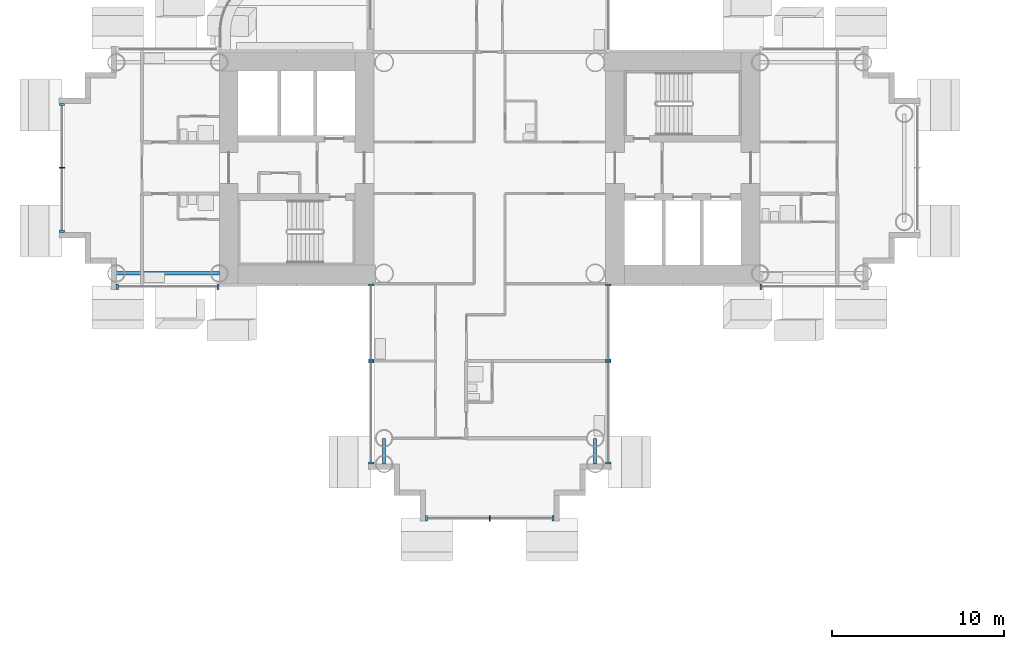
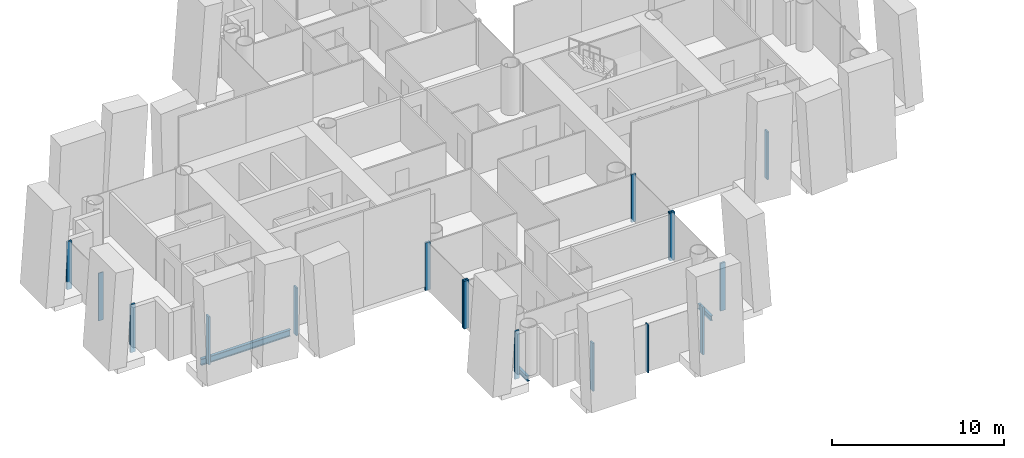
# One storey, part 3 of 25: 17 members, 3 beams, 8 elements without a shape of their own.
"""IFC4 building model written with IfcOpenShell, lengths in metres."""

from ifc_helpers import new_model, si_unit, direction, frame, origin, origin_2d, place, context, subcontext, project, spatial, rectangle, i_section, extrude, material, layer, layer_set, material_profile, profile_set, type_object, element, aggregate, save


model = new_model("IFC4")

# Units and contexts
model_context = context("Model", 3, precision=1e-05, world=origin(), true_north=direction((0.0, 1.0)))
body_context = subcontext(model_context, "Body", "Model", "MODEL_VIEW")
ifc_project = project(units=[si_unit("LENGTHUNIT", "METRE"), si_unit("AREAUNIT", "SQUARE_METRE"), si_unit("VOLUMEUNIT", "CUBIC_METRE"), si_unit("PLANEANGLEUNIT", "RADIAN"), si_unit("MASSUNIT", "GRAM", prefix="KILO")], contexts=[model_context])

# Site, building, storey
site_placement = place(None, origin())
site = spatial("IfcSite", under=ifc_project, at=site_placement, CompositionType="ELEMENT")
building_placement = place(site_placement, origin())
building = spatial("IfcBuilding", under=site, at=building_placement, Name="Ipe Terrace Towers", CompositionType="ELEMENT")
storey_placement = place(building_placement, frame((0.0, 0.0, 31.300048828125)))
storey = spatial("IfcBuildingStorey", under=building, at=storey_placement, Name="L07", CompositionType="ELEMENT", Elevation=31.300048828125)

# Beams
ifc_material_1 = material(Name="Steel S355", Category="steel")
ifc_material_profile_1 = material_profile(ifc_material_1, i_section(OverallWidth=0.175048828125, OverallDepth=0.35009765625, WebThickness=0.007080078125, FlangeThickness=0.010986328125, at=origin_2d()), Name="H-350x175x7x11")
ifc_profile_set_1 = profile_set([ifc_material_profile_1], Name="Steel S355")
beam_type_1 = type_object("IfcBeamType", Name="H04 EDGE BEAM H-350x175x7x11", PredefinedType="BEAM", material=ifc_profile_set_1)
for number, where, z_axis, x_axis, name in (
    (1, (-42.14990234375, -15.75, -0.574951171875), (0.0, -1.0, 0.0), (1.0, 0.0, 0.0), "Edge beam T1-EB-D03-D05"),
    (2, (-29.85009765625, -15.75, -0.574951171875), (0.0, -1.0, 0.0), (1.0, 0.0, 0.0), "Edge beam T1-EB-D04-D06"),
):
    element("IfcBeam", number, at=place(storey_placement, frame(where, z_axis=z_axis, x_axis=x_axis)), inside=storey, type_object=beam_type_1, Name=name, PredefinedType="BEAM", context=body_context, shape_type="SweptSolid", body=[
        extrude(i_section(OverallWidth=0.175048828125, OverallDepth=0.35009765625, WebThickness=0.007080078125, FlangeThickness=0.010986328125, at=origin_2d()), origin(), (0.0, 0.0, 1.0), 1.5),
    ])
ifc_material_2 = material(Name="Steel S355", Category="steel")
ifc_material_profile_2 = material_profile(ifc_material_2, i_section(OverallWidth=0.199951171875, OverallDepth=0.449951171875, WebThickness=0.009033203125, FlangeThickness=0.013916015625, at=origin_2d()), Name="H-450x200x9x14")
ifc_profile_set_2 = profile_set([ifc_material_profile_2], Name="Steel S355")
beam_type_2 = type_object("IfcBeamType", Name="H08 EDGE BEAM H-450x200x9x14", PredefinedType="BEAM", material=ifc_profile_set_2)
beam_placement = place(storey_placement, frame((-51.75, -6.14990234375, -0.625), z_axis=(-1.0, 0.0, 0.0), x_axis=(0.0, -1.0, 0.0)))
element("IfcBeam", 3, at=beam_placement, inside=storey, type_object=beam_type_2, Name="Edge beam T1-EB-C01-C03", PredefinedType="BEAM", context=body_context, shape_type="SweptSolid", body=[
    extrude(i_section(OverallWidth=0.199951171875, OverallDepth=0.449951171875, WebThickness=0.009033203125, FlangeThickness=0.013916015625, at=origin_2d()), origin(), (0.0, 0.0, 1.0), 6.0),
])

# Curtain wall, members
ifc_material_3 = material(Name="Aluminium alloy 6063-T6", Category="aluminium")
ifc_layer = layer(ifc_material_3, 0.320068359375)
ifc_layer_set = layer_set([ifc_layer], Name="TOWER UNITISED CURTAIN WALL")
curtain_wall_type = type_object("IfcCurtainWallType", Name="TOWER UNITISED CURTAIN WALL", PredefinedType="NOTDEFINED", material=ifc_layer_set)
curtain_wall_1_placement = place(storey_placement, origin())
curtain_wall_1 = element("IfcCurtainWall", 4, at=curtain_wall_1_placement, inside=storey, type_object=curtain_wall_type, Name="T1-CW-L07-04a curtain wall", PredefinedType="NOTDEFINED")
ifc_material_4 = material(Name="Aluminium alloy 6063-T6", Category="aluminium")
ifc_material_profile_3 = material_profile(ifc_material_4, rectangle(XDim=0.320068359375, YDim=0.1201171875, at=origin_2d()), Name="TOWER UNITISED CORNER MULLION 320 x 120")
ifc_profile_set_3 = profile_set([ifc_material_profile_3], Name="Aluminium alloy 6063-T6")
member_type_1 = type_object("IfcMemberType", Name="TOWER UNITISED CORNER MULLION 320 x 120", PredefinedType="MULLION", material=ifc_profile_set_3)
member_1_placement = place(storey_placement, frame((-57.68994140625, -6.909912109375, -0.300048828125), z_axis=(0.0, 0.0, 1.0), x_axis=(0.0, -1.0, 0.0)))
member_1 = element("IfcMember", 5, at=member_1_placement, type_object=member_type_1, Name="T1-CW-L07-04a mullion 1", PredefinedType="MULLION", context=body_context, shape_type="SweptSolid", body=[
    extrude(rectangle(XDim=0.320068359375, YDim=0.1201171875, at=origin_2d()), origin(), (0.0, 0.0, 1.0), 3.39990234375),
])
member_2_placement = place(storey_placement, frame((-51.81103515625, -6.909912109375, -0.300048828125), z_axis=(0.0, 0.0, 1.0), x_axis=(0.0, -1.0, 0.0)))
member_2 = element("IfcMember", 6, at=member_2_placement, type_object=member_type_1, Name="T1-CW-L07-04a mullion 2", PredefinedType="MULLION", context=body_context, shape_type="SweptSolid", body=[
    extrude(rectangle(XDim=0.320068359375, YDim=0.1201171875, at=origin_2d()), origin(), (0.0, 0.0, 1.0), 3.39990234375),
])
aggregate(curtain_wall_1, [member_1, member_2])

curtain_wall_2_placement = place(storey_placement, origin())
curtain_wall_2 = element("IfcCurtainWall", 7, at=curtain_wall_2_placement, inside=storey, type_object=curtain_wall_type, Name="T1-CW-L07-06a curtain wall", PredefinedType="NOTDEFINED")
member_3_placement = place(storey_placement, frame((-42.909912109375, -6.81005859375, -0.300048828125), z_axis=(0.0, 0.0, 1.0), x_axis=(-1.0, 0.0, 0.0)))
member_3 = element("IfcMember", 8, at=member_3_placement, type_object=member_type_1, Name="T1-CW-L07-06a mullion 1", PredefinedType="MULLION", context=body_context, shape_type="SweptSolid", body=[
    extrude(rectangle(XDim=0.320068359375, YDim=0.1201171875, at=origin_2d()), origin(), (0.0, 0.0, 1.0), 3.39990234375),
])
member_4_placement = place(storey_placement, frame((-42.909912109375, -11.18994140625, -0.300048828125), z_axis=(0.0, 0.0, 1.0), x_axis=(-1.0, 0.0, 0.0)))
member_4 = element("IfcMember", 9, at=member_4_placement, type_object=member_type_1, Name="T1-CW-L07-06a mullion 2", PredefinedType="MULLION", context=body_context, shape_type="SweptSolid", body=[
    extrude(rectangle(XDim=0.320068359375, YDim=0.1201171875, at=origin_2d()), origin(), (0.0, 0.0, 1.0), 3.39990234375),
])
aggregate(curtain_wall_2, [member_3, member_4])

curtain_wall_3_placement = place(storey_placement, origin())
curtain_wall_3 = element("IfcCurtainWall", 10, at=curtain_wall_3_placement, inside=storey, type_object=curtain_wall_type, Name="T1-CW-L07-07a curtain wall", PredefinedType="NOTDEFINED")
member_5_placement = place(storey_placement, frame((-42.909912109375, -11.31005859375, -0.300048828125), z_axis=(0.0, 0.0, 1.0), x_axis=(-1.0, 0.0, 0.0)))
member_5 = element("IfcMember", 11, at=member_5_placement, type_object=member_type_1, Name="T1-CW-L07-07a mullion 1", PredefinedType="MULLION", context=body_context, shape_type="SweptSolid", body=[
    extrude(rectangle(XDim=0.320068359375, YDim=0.1201171875, at=origin_2d()), origin(), (0.0, 0.0, 1.0), 3.39990234375),
])
member_6_placement = place(storey_placement, frame((-42.909912109375, -17.18994140625, -0.300048828125), z_axis=(0.0, 0.0, 1.0), x_axis=(-1.0, 0.0, 0.0)))
member_6 = element("IfcMember", 12, at=member_6_placement, type_object=member_type_1, Name="T1-CW-L07-07a mullion 2", PredefinedType="MULLION", context=body_context, shape_type="SweptSolid", body=[
    extrude(rectangle(XDim=0.320068359375, YDim=0.1201171875, at=origin_2d()), origin(), (0.0, 0.0, 1.0), 3.39990234375),
])
aggregate(curtain_wall_3, [member_5, member_6])

curtain_wall_4_placement = place(storey_placement, origin())
curtain_wall_4 = element("IfcCurtainWall", 13, at=curtain_wall_4_placement, inside=storey, type_object=curtain_wall_type, Name="T1-CW-L07-12a curtain wall", PredefinedType="NOTDEFINED")
member_7_placement = place(storey_placement, frame((-39.68994140625, -20.409912109375, -0.300048828125), z_axis=(0.0, 0.0, 1.0), x_axis=(0.0, -1.0, 0.0)))
member_7 = element("IfcMember", 14, at=member_7_placement, type_object=member_type_1, Name="T1-CW-L07-12a mullion 1", PredefinedType="MULLION", context=body_context, shape_type="SweptSolid", body=[
    extrude(rectangle(XDim=0.320068359375, YDim=0.1201171875, at=origin_2d()), origin(), (0.0, 0.0, 1.0), 3.39990234375),
])
member_8_placement = place(storey_placement, frame((-32.31005859375, -20.409912109375, -0.300048828125), z_axis=(0.0, 0.0, 1.0), x_axis=(0.0, -1.0, 0.0)))
member_8 = element("IfcMember", 15, at=member_8_placement, type_object=member_type_1, Name="T1-CW-L07-12a mullion 3", PredefinedType="MULLION", context=body_context, shape_type="SweptSolid", body=[
    extrude(rectangle(XDim=0.320068359375, YDim=0.1201171875, at=origin_2d()), origin(), (0.0, 0.0, 1.0), 3.39990234375),
])

curtain_wall_5_placement = place(storey_placement, origin())
curtain_wall_5 = element("IfcCurtainWall", 16, at=curtain_wall_5_placement, inside=storey, type_object=curtain_wall_type, Name="T1-CW-L07-17a curtain wall", PredefinedType="NOTDEFINED")
member_9_placement = place(storey_placement, frame((-29.090087890625, -17.18994140625, -0.300048828125), z_axis=(0.0, 0.0, 1.0), x_axis=(1.0, 0.0, 0.0)))
member_9 = element("IfcMember", 17, at=member_9_placement, type_object=member_type_1, Name="T1-CW-L07-17a mullion 1", PredefinedType="MULLION", context=body_context, shape_type="SweptSolid", body=[
    extrude(rectangle(XDim=0.320068359375, YDim=0.1201171875, at=origin_2d()), origin(), (0.0, 0.0, 1.0), 3.39990234375),
])
member_10_placement = place(storey_placement, frame((-29.090087890625, -11.31005859375, -0.300048828125), z_axis=(0.0, 0.0, 1.0), x_axis=(1.0, 0.0, 0.0)))
member_10 = element("IfcMember", 18, at=member_10_placement, type_object=member_type_1, Name="T1-CW-L07-17a mullion 2", PredefinedType="MULLION", context=body_context, shape_type="SweptSolid", body=[
    extrude(rectangle(XDim=0.320068359375, YDim=0.1201171875, at=origin_2d()), origin(), (0.0, 0.0, 1.0), 3.39990234375),
])
aggregate(curtain_wall_5, [member_9, member_10])

curtain_wall_6_placement = place(storey_placement, origin())
curtain_wall_6 = element("IfcCurtainWall", 19, at=curtain_wall_6_placement, inside=storey, type_object=curtain_wall_type, Name="T1-CW-L07-18a curtain wall", PredefinedType="NOTDEFINED")
member_11_placement = place(storey_placement, frame((-29.090087890625, -11.18994140625, -0.300048828125), z_axis=(0.0, 0.0, 1.0), x_axis=(1.0, 0.0, 0.0)))
member_11 = element("IfcMember", 20, at=member_11_placement, type_object=member_type_1, Name="T1-CW-L07-18a mullion 1", PredefinedType="MULLION", context=body_context, shape_type="SweptSolid", body=[
    extrude(rectangle(XDim=0.320068359375, YDim=0.1201171875, at=origin_2d()), origin(), (0.0, 0.0, 1.0), 3.39990234375),
])
member_12_placement = place(storey_placement, frame((-29.090087890625, -6.81005859375, -0.300048828125), z_axis=(0.0, 0.0, 1.0), x_axis=(1.0, 0.0, 0.0)))
member_12 = element("IfcMember", 21, at=member_12_placement, type_object=member_type_1, Name="T1-CW-L07-18a mullion 2", PredefinedType="MULLION", context=body_context, shape_type="SweptSolid", body=[
    extrude(rectangle(XDim=0.320068359375, YDim=0.1201171875, at=origin_2d()), origin(), (0.0, 0.0, 1.0), 3.39990234375),
])
aggregate(curtain_wall_6, [member_11, member_12])

# Curtain wall, member
curtain_wall_7_placement = place(storey_placement, origin())
curtain_wall_7 = element("IfcCurtainWall", 22, at=curtain_wall_7_placement, inside=storey, type_object=curtain_wall_type, Name="T1-CW-L07-20b curtain wall", PredefinedType="NOTDEFINED")
member_13_placement = place(storey_placement, frame((-20.18896484375, -6.909912109375, -0.300048828125), z_axis=(0.0, 0.0, 1.0), x_axis=(0.0, -1.0, 0.0)))
member_13 = element("IfcMember", 23, at=member_13_placement, type_object=member_type_1, Name="T1-CW-L07-20b mullion 1", PredefinedType="MULLION", context=body_context, shape_type="SweptSolid", body=[
    extrude(rectangle(XDim=0.320068359375, YDim=0.1201171875, at=origin_2d()), origin(), (0.0, 0.0, 1.0), 3.39990234375),
])
aggregate(curtain_wall_7, [member_13])

# Curtain wall, members
curtain_wall_8_placement = place(storey_placement, origin())
curtain_wall_8 = element("IfcCurtainWall", 24, at=curtain_wall_8_placement, inside=storey, type_object=curtain_wall_type, Name="T1-CW-L07-51a curtain wall", PredefinedType="NOTDEFINED")
member_14_placement = place(storey_placement, frame((-60.909912109375, 3.68994140625, -0.300048828125), z_axis=(0.0, 0.0, 1.0), x_axis=(-1.0, 0.0, 0.0)))
member_14 = element("IfcMember", 25, at=member_14_placement, type_object=member_type_1, Name="T1-CW-L07-51a mullion 1", PredefinedType="MULLION", context=body_context, shape_type="SweptSolid", body=[
    extrude(rectangle(XDim=0.320068359375, YDim=0.1201171875, at=origin_2d()), origin(), (0.0, 0.0, 1.0), 3.39990234375),
])
member_15_placement = place(storey_placement, frame((-60.909912109375, -3.68994140625, -0.300048828125), z_axis=(0.0, 0.0, 1.0), x_axis=(-1.0, 0.0, 0.0)))
member_15 = element("IfcMember", 26, at=member_15_placement, type_object=member_type_1, Name="T1-CW-L07-51a mullion 3", PredefinedType="MULLION", context=body_context, shape_type="SweptSolid", body=[
    extrude(rectangle(XDim=0.320068359375, YDim=0.1201171875, at=origin_2d()), origin(), (0.0, 0.0, 1.0), 3.39990234375),
])

# Member
ifc_material_5 = material(Name="Aluminium alloy 6063-T6", Category="aluminium")
ifc_material_profile_4 = material_profile(ifc_material_5, rectangle(XDim=0.320068359375, YDim=0.06494140625, at=origin_2d()), Name="TOWER UNITISED MULLION 320 x 65")
ifc_profile_set_4 = profile_set([ifc_material_profile_4], Name="Aluminium alloy 6063-T6")
member_type_2 = type_object("IfcMemberType", Name="TOWER UNITISED MULLION 320 x 65", PredefinedType="MULLION", material=ifc_profile_set_4)
member_16_placement = place(storey_placement, frame((-36.0, -20.409912109375, -0.300048828125), z_axis=(0.0, 0.0, 1.0), x_axis=(0.0, -1.0, 0.0)))
member_16 = element("IfcMember", 27, at=member_16_placement, type_object=member_type_2, Name="T1-CW-L07-12a mullion 2", PredefinedType="MULLION", context=body_context, shape_type="SweptSolid", body=[
    extrude(rectangle(XDim=0.320068359375, YDim=0.06494140625, at=origin_2d()), origin(), (0.0, 0.0, 1.0), 3.39990234375),
])

aggregate(curtain_wall_4, [member_7, member_16, member_8])

member_17_placement = place(storey_placement, frame((-60.909912109375, 0.0, -0.300048828125), z_axis=(0.0, 0.0, 1.0), x_axis=(-1.0, 0.0, 0.0)))
member_17 = element("IfcMember", 28, at=member_17_placement, type_object=member_type_2, Name="T1-CW-L07-51a mullion 2", PredefinedType="MULLION", context=body_context, shape_type="SweptSolid", body=[
    extrude(rectangle(XDim=0.320068359375, YDim=0.06494140625, at=origin_2d()), origin(), (0.0, 0.0, 1.0), 3.39990234375),
])

aggregate(curtain_wall_8, [member_14, member_17, member_15])

save(model, "model.ifc")
